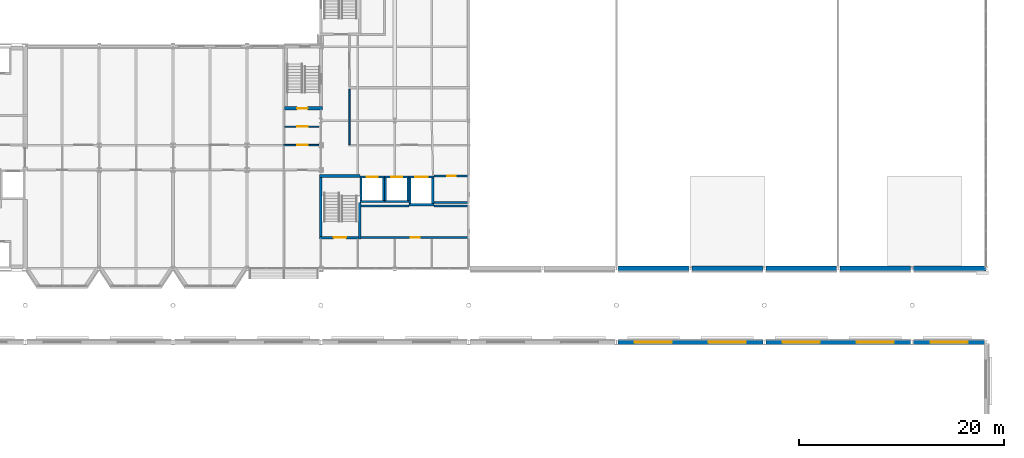
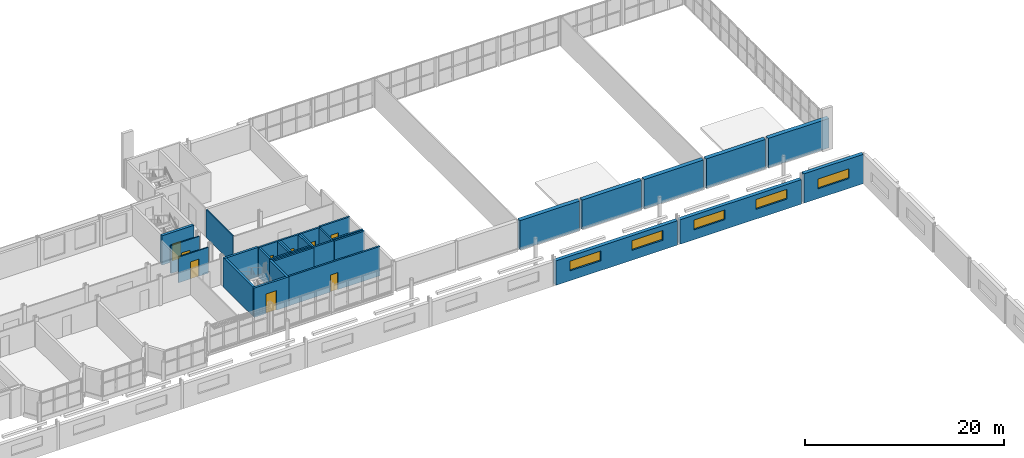
# One storey, part 78 of 124: 33 walls, 9 doors, 5 windows, 14 openings.
"""IFC4 building model written with IfcOpenShell, lengths in metres."""

from ifc_helpers import new_model, si_unit, direction, frame, frame_2d, origin, place, context, subcontext, project, spatial, rectangle, extrude, material, layer, layer_set, type_object, element, fill, save


model = new_model("IFC4")

# Units and contexts
model_context = context("Model", 3, precision=1e-05, world=origin(), true_north=direction((0.0, 1.0)))
body_context = subcontext(model_context, "Body", "Model", "MODEL_VIEW")
ifc_project = project(units=[si_unit("LENGTHUNIT", "METRE"), si_unit("AREAUNIT", "SQUARE_METRE"), si_unit("VOLUMEUNIT", "CUBIC_METRE"), si_unit("PLANEANGLEUNIT", "RADIAN"), si_unit("MASSUNIT", "GRAM", prefix="KILO")], contexts=[model_context])

# Site, building, storey
site_placement = place(None, origin())
site = spatial("IfcSite", under=ifc_project, at=site_placement, CompositionType="ELEMENT")
building_placement = place(site_placement, origin())
building = spatial("IfcBuilding", under=site, at=building_placement, Name="Kupolbacken Congress Centre", CompositionType="ELEMENT")
storey_placement = place(building_placement, frame((0.0, 0.0, 10.800048828125)))
storey = spatial("IfcBuildingStorey", under=building, at=storey_placement, Name="L03", CompositionType="ELEMENT", Elevation=10.800048828125)

# Wall, opening, window
ifc_material_1 = material(Name="Brick", Category="masonry")
ifc_layer_1 = layer(ifc_material_1, 0.10791015625)
ifc_material_2 = material(Name="Air cavity", Category="air")
ifc_layer_2 = layer(ifc_material_2, 0.0400390625, ventilated=True)
ifc_material_3 = material(Name="Mineral wool", Category="insulation")
ifc_layer_3 = layer(ifc_material_3, 0.152099609375)
ifc_material_4 = material(Name="Concrete block", Category="masonry")
ifc_layer_4 = layer(ifc_material_4, 0.1201171875)
ifc_layer_set_1 = layer_set([ifc_layer_1, ifc_layer_2, ifc_layer_3, ifc_layer_4], Name="Brick / Mineral wool / Concrete block")
wall_type_1 = type_object("IfcWallType", Name="EW04 external cavity wall 420", PredefinedType="SOLIDWALL", material=ifc_layer_set_1)
wall_1_placement = place(storey_placement, frame((201.449951171875, 115.199951171875, 0.0), z_axis=(0.0, 0.0, 1.0), x_axis=(-1.0, 0.0, 0.0)))
wall_1 = element("IfcWall", 1, at=wall_1_placement, inside=storey, type_object=wall_type_1, Name="E/H/N/L03/353", PredefinedType="SOLIDWALL", context=body_context, shape_type="SweptSolid", body=[
    extrude(rectangle(XDim=6.89990234375, YDim=0.419921875, at=frame_2d((3.449951171875, 0.0))), origin(), (0.0, 0.0, 1.0), 3.599853515625),
])
opening_1_placement = place(wall_1_placement, frame((1.64990234375, 0.0, 1.199951171875)))
opening_1 = element("IfcOpeningElement", 2, at=opening_1_placement, cuts=wall_1, Name="Opening W12", PredefinedType="OPENING", context=body_context, shape_type="SweptSolid", body=[
    extrude(rectangle(XDim=3.60009765625, YDim=1.199951171875, at=frame_2d((1.800048828125, 0.60009765625))), frame((0.0, 0.219970703125, 0.0), z_axis=(0.0, -1.0, 0.0), x_axis=(1.0, 0.0, 0.0)), (0.0, 0.0, 1.0), 0.43994140625),
])
ifc_material_5 = material(Name="Aluminium frame with double or triple glazing", Category="aluminium")
window_type = type_object("IfcWindowType", Name="W12 window 3600x1200", PartitioningType="TRIPLE_PANEL_VERTICAL", PredefinedType="WINDOW", material=ifc_material_5)
window_1_placement = place(opening_1_placement, origin())
window_1 = element("IfcWindow", 3, at=window_1_placement, inside=storey, type_object=window_type, Name="E/H/N/L03/353/W1", OverallHeight=1.199951171875, OverallWidth=3.60009765625, PartitioningType="SINGLE_PANEL", PredefinedType="WINDOW", context=body_context, shape_type="SweptSolid", body=[
    extrude(rectangle(XDim=3.60009765625, YDim=1.199951171875, at=frame_2d((1.800048828125, 0.60009765625))), frame((0.0, 0.030029296875, 0.0), z_axis=(0.0, -1.0, 0.0), x_axis=(1.0, 0.0, 0.0)), (0.0, 0.0, 1.0), 0.06005859375),
])
fill(opening_1, window_1)

# Wall, openings, windows
wall_2_placement = place(storey_placement, frame((194.25, 115.199951171875, 0.0), z_axis=(0.0, 0.0, 1.0), x_axis=(-1.0, 0.0, 0.0)))
wall_2 = element("IfcWall", 4, at=wall_2_placement, inside=storey, type_object=wall_type_1, Name="E/H/N/L03/354", PredefinedType="SOLIDWALL", context=body_context, shape_type="SweptSolid", body=[
    extrude(rectangle(XDim=14.10009765625, YDim=0.419921875, at=frame_2d((7.050048828125, 0.0))), origin(), (0.0, 0.0, 1.0), 2.9990234375),
])
opening_2_placement = place(wall_2_placement, frame((8.85009765625, 0.0, 1.199951171875)))
opening_2 = element("IfcOpeningElement", 5, at=opening_2_placement, cuts=wall_2, Name="Opening W12", PredefinedType="OPENING", context=body_context, shape_type="SweptSolid", body=[
    extrude(rectangle(XDim=3.60009765625, YDim=1.199951171875, at=frame_2d((1.800048828125, 0.60009765625))), frame((0.0, 0.219970703125, 0.0), z_axis=(0.0, -1.0, 0.0), x_axis=(1.0, 0.0, 0.0)), (0.0, 0.0, 1.0), 0.43994140625),
])
opening_3_placement = place(wall_2_placement, frame((1.64990234375, 0.0, 1.199951171875)))
opening_3 = element("IfcOpeningElement", 6, at=opening_3_placement, cuts=wall_2, Name="Opening W12", PredefinedType="OPENING", context=body_context, shape_type="SweptSolid", body=[
    extrude(rectangle(XDim=3.60009765625, YDim=1.199951171875, at=frame_2d((1.800048828125, 0.60009765625))), frame((0.0, 0.219970703125, 0.0), z_axis=(0.0, -1.0, 0.0), x_axis=(1.0, 0.0, 0.0)), (0.0, 0.0, 1.0), 0.43994140625),
])
window_2_placement = place(opening_2_placement, origin())
window_2 = element("IfcWindow", 7, at=window_2_placement, inside=storey, type_object=window_type, Name="E/H/N/L03/354/W1", OverallHeight=1.199951171875, OverallWidth=3.60009765625, PartitioningType="SINGLE_PANEL", PredefinedType="WINDOW", context=body_context, shape_type="SweptSolid", body=[
    extrude(rectangle(XDim=3.60009765625, YDim=1.199951171875, at=frame_2d((1.800048828125, 0.60009765625))), frame((0.0, 0.030029296875, 0.0), z_axis=(0.0, -1.0, 0.0), x_axis=(1.0, 0.0, 0.0)), (0.0, 0.0, 1.0), 0.06005859375),
])
fill(opening_2, window_2)
window_3_placement = place(opening_3_placement, origin())
window_3 = element("IfcWindow", 8, at=window_3_placement, inside=storey, type_object=window_type, Name="E/H/N/L03/354/W2", OverallHeight=1.199951171875, OverallWidth=3.60009765625, PartitioningType="SINGLE_PANEL", PredefinedType="WINDOW", context=body_context, shape_type="SweptSolid", body=[
    extrude(rectangle(XDim=3.60009765625, YDim=1.199951171875, at=frame_2d((1.800048828125, 0.60009765625))), frame((0.0, 0.030029296875, 0.0), z_axis=(0.0, -1.0, 0.0), x_axis=(1.0, 0.0, 0.0)), (0.0, 0.0, 1.0), 0.06005859375),
])
fill(opening_3, window_3)

wall_3_placement = place(storey_placement, frame((179.85009765625, 115.199951171875, 0.0), z_axis=(0.0, 0.0, 1.0), x_axis=(-1.0, 0.0, 0.0)))
wall_3 = element("IfcWall", 9, at=wall_3_placement, inside=storey, type_object=wall_type_1, Name="E/H/N/L03/355", PredefinedType="SOLIDWALL", context=body_context, shape_type="SweptSolid", body=[
    extrude(rectangle(XDim=14.10009765625, YDim=0.419921875, at=frame_2d((7.050048828125, 0.0))), origin(), (0.0, 0.0, 1.0), 2.9990234375),
])
opening_4_placement = place(wall_3_placement, frame((8.85009765625, 0.0, 1.199951171875)))
opening_4 = element("IfcOpeningElement", 10, at=opening_4_placement, cuts=wall_3, Name="Opening W12", PredefinedType="OPENING", context=body_context, shape_type="SweptSolid", body=[
    extrude(rectangle(XDim=3.60009765625, YDim=1.199951171875, at=frame_2d((1.800048828125, 0.60009765625))), frame((0.0, 0.219970703125, 0.0), z_axis=(0.0, -1.0, 0.0), x_axis=(1.0, 0.0, 0.0)), (0.0, 0.0, 1.0), 0.43994140625),
])
opening_5_placement = place(wall_3_placement, frame((1.64990234375, 0.0, 1.199951171875)))
opening_5 = element("IfcOpeningElement", 11, at=opening_5_placement, cuts=wall_3, Name="Opening W12", PredefinedType="OPENING", context=body_context, shape_type="SweptSolid", body=[
    extrude(rectangle(XDim=3.60009765625, YDim=1.199951171875, at=frame_2d((1.800048828125, 0.60009765625))), frame((0.0, 0.219970703125, 0.0), z_axis=(0.0, -1.0, 0.0), x_axis=(1.0, 0.0, 0.0)), (0.0, 0.0, 1.0), 0.43994140625),
])
window_4_placement = place(opening_4_placement, origin())
window_4 = element("IfcWindow", 12, at=window_4_placement, inside=storey, type_object=window_type, Name="E/H/N/L03/355/W1", OverallHeight=1.199951171875, OverallWidth=3.60009765625, PartitioningType="SINGLE_PANEL", PredefinedType="WINDOW", context=body_context, shape_type="SweptSolid", body=[
    extrude(rectangle(XDim=3.60009765625, YDim=1.199951171875, at=frame_2d((1.800048828125, 0.60009765625))), frame((0.0, 0.030029296875, 0.0), z_axis=(0.0, -1.0, 0.0), x_axis=(1.0, 0.0, 0.0)), (0.0, 0.0, 1.0), 0.06005859375),
])
fill(opening_4, window_4)
window_5_placement = place(opening_5_placement, origin())
window_5 = element("IfcWindow", 13, at=window_5_placement, inside=storey, type_object=window_type, Name="E/H/N/L03/355/W2", OverallHeight=1.199951171875, OverallWidth=3.60009765625, PartitioningType="SINGLE_PANEL", PredefinedType="WINDOW", context=body_context, shape_type="SweptSolid", body=[
    extrude(rectangle(XDim=3.60009765625, YDim=1.199951171875, at=frame_2d((1.800048828125, 0.60009765625))), frame((0.0, 0.030029296875, 0.0), z_axis=(0.0, -1.0, 0.0), x_axis=(1.0, 0.0, 0.0)), (0.0, 0.0, 1.0), 0.06005859375),
])
fill(opening_5, window_5)

# Walls
ifc_material_6 = material(Name="Limestone", Category="masonry")
ifc_layer_5 = layer(ifc_material_6, 0.14990234375)
ifc_layer_6 = layer(ifc_material_2, 0.0400390625, ventilated=True)
ifc_layer_7 = layer(ifc_material_3, 0.169921875)
ifc_layer_8 = layer(ifc_material_4, 0.1201171875)
ifc_layer_set_2 = layer_set([ifc_layer_5, ifc_layer_6, ifc_layer_7, ifc_layer_8], Name="Limestone / Mineral wool / Concrete block")
wall_type_2 = type_object("IfcWallType", Name="EW07 external cavity wall 480", PredefinedType="SOLIDWALL", material=ifc_layer_set_2)
wall_4_placement = place(storey_placement, frame((165.75, 122.39990234375, 0.0), z_axis=(0.0, 0.0, 1.0), x_axis=(1.0, 0.0, 0.0)))
element("IfcWall", 14, at=wall_4_placement, inside=storey, type_object=wall_type_2, Name="E/B/S/L03/310", PredefinedType="SOLIDWALL", context=body_context, shape_type="SweptSolid", body=[
    extrude(rectangle(XDim=6.89990234375, YDim=0.47998046875, at=frame_2d((3.449951171875, 0.0))), origin(), (0.0, 0.0, 1.0), 3.599853515625),
])
for number, where, z_axis, x_axis, name in (
    (15, (172.949951171875, 122.39990234375, 0.0), (0.0, 0.0, 1.0), (1.0, 0.0, 0.0), "E/B/S/L03/311"),
    (16, (180.14990234375, 122.39990234375, 0.0), (0.0, 0.0, 1.0), (1.0, 0.0, 0.0), "E/B/S/L03/312"),
):
    element("IfcWall", number, at=place(storey_placement, frame(where, z_axis=z_axis, x_axis=x_axis)), inside=storey, type_object=wall_type_2, Name=name, PredefinedType="SOLIDWALL", context=body_context, shape_type="SweptSolid", body=[
        extrude(rectangle(XDim=6.900146484375, YDim=0.47998046875, at=frame_2d((3.4501953125, 0.0))), origin(), (0.0, 0.0, 1.0), 3.599853515625),
    ])
wall_5_placement = place(storey_placement, frame((187.35009765625, 122.39990234375, 0.0), z_axis=(0.0, 0.0, 1.0), x_axis=(1.0, 0.0, 0.0)))
element("IfcWall", 17, at=wall_5_placement, inside=storey, type_object=wall_type_2, Name="E/B/S/L03/313", PredefinedType="SOLIDWALL", context=body_context, shape_type="SweptSolid", body=[
    extrude(rectangle(XDim=6.89990234375, YDim=0.47998046875, at=frame_2d((3.449951171875, 0.0))), origin(), (0.0, 0.0, 1.0), 3.599853515625),
])
wall_6_placement = place(storey_placement, frame((194.550048828125, 122.39990234375, 0.0), z_axis=(0.0, 0.0, 1.0), x_axis=(1.0, 0.0, 0.0)))
element("IfcWall", 18, at=wall_6_placement, inside=storey, type_object=wall_type_2, Name="E/B/S/L03/314", PredefinedType="SOLIDWALL", context=body_context, shape_type="SweptSolid", body=[
    extrude(rectangle(XDim=7.050048828125, YDim=0.47998046875, at=frame_2d((3.52490234375, 0.0))), origin(), (0.0, 0.0, 1.0), 3.599853515625),
])
ifc_material_7 = material(Name="Gypsum board", Category="drywall")
ifc_layer_9 = layer(ifc_material_7, 0.135009765625)
ifc_layer_set_3 = layer_set([ifc_layer_9], Name="Gypsum board")
wall_type_3 = type_object("IfcWallType", Name="P06 compartment wall 135", PredefinedType="PARTITIONING", material=ifc_layer_set_3)
wall_7_placement = place(storey_placement, frame((139.60009765625, 139.862548828125, 0.0), z_axis=(0.0, 0.0, 1.0), x_axis=(0.0, -1.0, 0.0)))
element("IfcWall", 19, at=wall_7_placement, inside=storey, type_object=wall_type_3, Name="PD/L03/W118", PredefinedType="PARTITIONING", context=body_context, shape_type="SweptSolid", body=[
    extrude(rectangle(XDim=5.39501953125, YDim=0.135009765625, at=frame_2d((2.697509765625, 0.0))), origin(), (0.0, 0.0, 1.0), 3.419921875),
])

# Wall, opening, door
ifc_material_8 = material(Name="Aerated concrete block", Category="masonry")
ifc_layer_10 = layer(ifc_material_8, 0.139892578125)
ifc_layer_set_4 = layer_set([ifc_layer_10], Name="Aerated concrete block")
wall_type_4 = type_object("IfcWallType", Name="P14 compartment wall 140", PredefinedType="PARTITIONING", material=ifc_layer_set_4)
wall_8_placement = place(storey_placement, frame((133.1298828125, 134.39990234375, 0.0), z_axis=(0.0, 0.0, 1.0), x_axis=(1.0, 0.0, 0.0)))
wall_8 = element("IfcWall", 20, at=wall_8_placement, inside=storey, type_object=wall_type_4, Name="T/wall/L03/x/13440/13320", PredefinedType="PARTITIONING", context=body_context, shape_type="SweptSolid", body=[
    extrude(rectangle(XDim=3.480224609375, YDim=0.139892578125, at=frame_2d((1.740234375, 0.0))), origin(), (0.0, 0.0, 1.0), 3.158935546875),
])
opening_6_placement = place(wall_8_placement, frame((1.3701171875, 0.0, 0.0)))
opening_6 = element("IfcOpeningElement", 21, at=opening_6_placement, cuts=wall_8, Name="Opening D5", PredefinedType="OPENING", context=body_context, shape_type="SweptSolid", body=[
    extrude(rectangle(XDim=1.0, YDim=2.10009765625, at=frame_2d((0.5, 1.050048828125))), frame((0.0, 0.079833984375, 0.0), z_axis=(0.0, -1.0, 0.0), x_axis=(1.0, 0.0, 0.0)), (0.0, 0.0, 1.0), 0.159912109375),
])
ifc_material_9 = material(Name="Steel fire door leaf", Category="steel")
door_type_1 = type_object("IfcDoorType", Name="D5 stair door 1000x2100", OperationType="SINGLE_SWING_LEFT", PredefinedType="DOOR", material=ifc_material_9)
door_1_placement = place(opening_6_placement, frame((1.0, 0.0, 0.0), z_axis=(0.0, 0.0, 1.0), x_axis=(-1.0, 0.0, 0.0)))
door_1 = element("IfcDoor", 22, at=door_1_placement, inside=storey, type_object=door_type_1, Name="T/wall/L03/x/13440/13320/D-TS4-LK3", OperationType="SINGLE_SWING_RIGHT", OverallHeight=2.10009765625, OverallWidth=1.0, PredefinedType="DOOR", context=body_context, shape_type="SweptSolid", body=[
    extrude(rectangle(XDim=1.0, YDim=2.10009765625, at=frame_2d((0.5, 1.050048828125))), frame((0.0, 0.02490234375, 0.0), z_axis=(0.0, -1.0, 0.0), x_axis=(1.0, 0.0, 0.0)), (0.0, 0.0, 1.0), 0.050048828125),
])
fill(opening_6, door_1)

wall_9_placement = place(storey_placement, frame((133.27001953125, 136.199951171875, 0.0), z_axis=(0.0, 0.0, 1.0), x_axis=(1.0, 0.0, 0.0)))
wall_9 = element("IfcWall", 23, at=wall_9_placement, inside=storey, type_object=wall_type_4, Name="T/wall/L03/x/13620/13320", PredefinedType="PARTITIONING", context=body_context, shape_type="SweptSolid", body=[
    extrude(rectangle(XDim=3.340087890625, YDim=0.139892578125, at=frame_2d((1.669921875, 0.0))), origin(), (0.0, 0.0, 1.0), 3.419921875),
])
opening_7_placement = place(wall_9_placement, frame((1.22998046875, 0.0, 0.0)))
opening_7 = element("IfcOpeningElement", 24, at=opening_7_placement, cuts=wall_9, Name="Opening D5", PredefinedType="OPENING", context=body_context, shape_type="SweptSolid", body=[
    extrude(rectangle(XDim=1.0, YDim=2.10009765625, at=frame_2d((0.5, 1.050048828125))), frame((0.0, 0.079833984375, 0.0), z_axis=(0.0, -1.0, 0.0), x_axis=(1.0, 0.0, 0.0)), (0.0, 0.0, 1.0), 0.159912109375),
])
door_2_placement = place(opening_7_placement, frame((1.0, 0.0, 0.0), z_axis=(0.0, 0.0, 1.0), x_axis=(-1.0, 0.0, 0.0)))
door_2 = element("IfcDoor", 25, at=door_2_placement, inside=storey, type_object=door_type_1, Name="T/wall/L03/x/13620/13320/D-TS4-LK2", OperationType="SINGLE_SWING_LEFT", OverallHeight=2.10009765625, OverallWidth=1.0, PredefinedType="DOOR", context=body_context, shape_type="SweptSolid", body=[
    extrude(rectangle(XDim=1.0, YDim=2.10009765625, at=frame_2d((0.5, 1.050048828125))), frame((0.0, 0.02490234375, 0.0), z_axis=(0.0, -1.0, 0.0), x_axis=(1.0, 0.0, 0.0)), (0.0, 0.0, 1.0), 0.050048828125),
])
fill(opening_7, door_2)

ifc_material_10 = material(Name="Concrete C40/50", Category="concrete")
ifc_layer_11 = layer(ifc_material_10, 0.199951171875)
ifc_layer_set_5 = layer_set([ifc_layer_11], Name="Concrete C40/50")
wall_type_5 = type_object("IfcWallType", Name="WC1 RC shaft wall 200", PredefinedType="SHEAR", material=ifc_layer_set_5)
wall_10_placement = place(storey_placement, frame((140.72509765625, 125.39990234375, 0.0), z_axis=(0.0, 0.0, 1.0), x_axis=(1.0, 0.0, 0.0)))
wall_10 = element("IfcWall", 26, at=wall_10_placement, inside=storey, type_object=wall_type_5, Name="Shaft wall L03-083", PredefinedType="SHEAR", context=body_context, shape_type="SweptSolid", body=[
    extrude(rectangle(XDim=10.574951171875, YDim=0.199951171875, at=frame_2d((5.28759765625, 0.0))), origin(), (0.0, 0.0, 1.0), 3.599853515625),
])
opening_8_placement = place(wall_10_placement, frame((4.85009765625, 0.0, 0.0)))
opening_8 = element("IfcOpeningElement", 27, at=opening_8_placement, cuts=wall_10, Name="Opening 3.G03", PredefinedType="OPENING", context=body_context, shape_type="SweptSolid", body=[
    extrude(rectangle(XDim=0.85009765625, YDim=2.10009765625, at=frame_2d((0.425048828125, 1.050048828125))), frame((0.0, 0.10986328125, 0.0), z_axis=(0.0, -1.0, 0.0), x_axis=(1.0, 0.0, 0.0)), (0.0, 0.0, 1.0), 0.219970703125),
])
ifc_material_11 = material(Name="Steel fire door leaf", Category="steel")
door_type_2 = type_object("IfcDoorType", Name="D3 fire door 850x2100", OperationType="SINGLE_SWING_LEFT", PredefinedType="DOOR", material=ifc_material_11)
door_3_placement = place(opening_8_placement, origin())
door_3 = element("IfcDoor", 28, at=door_3_placement, inside=storey, type_object=door_type_2, Name="S/core/L03/083/D3G03", OperationType="SINGLE_SWING_LEFT", OverallHeight=2.10009765625, OverallWidth=0.85009765625, PredefinedType="DOOR", context=body_context, shape_type="SweptSolid", body=[
    extrude(rectangle(XDim=0.85009765625, YDim=2.10009765625, at=frame_2d((0.425048828125, 1.050048828125))), frame((0.0, 0.02490234375, 0.0), z_axis=(0.0, -1.0, 0.0), x_axis=(1.0, 0.0, 0.0)), (0.0, 0.0, 1.0), 0.050048828125),
])
fill(opening_8, door_3)

# Walls
wall_11_placement = place(storey_placement, frame((140.60009765625, 128.5, 0.0), z_axis=(0.0, 0.0, 1.0), x_axis=(1.0, 0.0, 0.0)))
element("IfcWall", 29, at=wall_11_placement, inside=storey, type_object=wall_type_5, Name="Shaft wall L03-095", PredefinedType="SHEAR", context=body_context, shape_type="SweptSolid", body=[
    extrude(rectangle(XDim=4.7998046875, YDim=0.199951171875, at=frame_2d((2.39990234375, 0.0))), origin(), (0.0, 0.0, 1.0), 3.599853515625),
])
for number, where, z_axis, x_axis, name in (
    (30, (147.800048828125, 128.5, 0.0), (0.0, 0.0, 1.0), (1.0, 0.0, 0.0), "Shaft wall L03-097"),
    (31, (147.800048828125, 128.800048828125, 0.0), (0.0, 0.0, 1.0), (1.0, 0.0, 0.0), "Shaft wall L03-098"),
):
    element("IfcWall", number, at=place(storey_placement, frame(where, z_axis=z_axis, x_axis=x_axis)), inside=storey, type_object=wall_type_5, Name=name, PredefinedType="SHEAR", context=body_context, shape_type="SweptSolid", body=[
        extrude(rectangle(XDim=3.5, YDim=0.199951171875, at=frame_2d((1.75, 0.0))), origin(), (0.0, 0.0, 1.0), 3.599853515625),
    ])

# Wall, opening, door
wall_12_placement = place(storey_placement, frame((151.300048828125, 131.39990234375, 0.0), z_axis=(0.0, 0.0, 1.0), x_axis=(-1.0, 0.0, 0.0)))
wall_12 = element("IfcWall", 32, at=wall_12_placement, inside=storey, type_object=wall_type_5, Name="Shaft wall L03-103", PredefinedType="SHEAR", context=body_context, shape_type="SweptSolid", body=[
    extrude(rectangle(XDim=3.5, YDim=0.199951171875, at=frame_2d((1.75, 0.0))), origin(), (0.0, 0.0, 1.0), 3.599853515625),
])
opening_9_placement = place(wall_12_placement, frame((1.35009765625, 0.0, 0.0)))
opening_9 = element("IfcOpeningElement", 33, at=opening_9_placement, cuts=wall_12, Name="Opening 3.G02", PredefinedType="OPENING", context=body_context, shape_type="SweptSolid", body=[
    extrude(rectangle(XDim=0.85009765625, YDim=2.10009765625, at=frame_2d((0.425048828125, 1.050048828125))), frame((0.0, 0.10986328125, 0.0), z_axis=(0.0, -1.0, 0.0), x_axis=(1.0, 0.0, 0.0)), (0.0, 0.0, 1.0), 0.219970703125),
])
door_4_placement = place(opening_9_placement, origin())
door_4 = element("IfcDoor", 34, at=door_4_placement, inside=storey, type_object=door_type_2, Name="S/core/L03/103/D3G02", OperationType="SINGLE_SWING_RIGHT", OverallHeight=2.10009765625, OverallWidth=0.85009765625, PredefinedType="DOOR", context=body_context, shape_type="SweptSolid", body=[
    extrude(rectangle(XDim=0.85009765625, YDim=2.10009765625, at=frame_2d((0.425048828125, 1.050048828125))), frame((0.0, 0.02490234375, 0.0), z_axis=(0.0, -1.0, 0.0), x_axis=(1.0, 0.0, 0.0)), (0.0, 0.0, 1.0), 0.050048828125),
])
fill(opening_9, door_4)

# Wall
wall_13_placement = place(storey_placement, frame((140.60009765625, 128.89990234375, 0.0), z_axis=(0.0, 0.0, 1.0), x_axis=(1.0, 0.0, 0.0)))
element("IfcWall", 35, at=wall_13_placement, inside=storey, type_object=wall_type_5, Name="Shaft wall LP15", PredefinedType="SHEAR", context=body_context, shape_type="SweptSolid", body=[
    extrude(rectangle(XDim=2.39990234375, YDim=0.199951171875, at=frame_2d((1.199951171875, 0.0))), origin(), (0.0, 0.0, 1.0), 3.599853515625),
])

# Wall, opening, door
wall_14_placement = place(storey_placement, frame((140.60009765625, 131.300048828125, 0.0), z_axis=(0.0, 0.0, 1.0), x_axis=(1.0, 0.0, 0.0)))
wall_14 = element("IfcWall", 36, at=wall_14_placement, inside=storey, type_object=wall_type_5, Name="Shaft wall LP15", PredefinedType="SHEAR", context=body_context, shape_type="SweptSolid", body=[
    extrude(rectangle(XDim=2.39990234375, YDim=0.199951171875, at=frame_2d((1.199951171875, 0.0))), origin(), (0.0, 0.0, 1.0), 3.599853515625),
])
opening_10_placement = place(wall_14_placement, frame((0.64990234375, 0.0, 0.0)))
opening_10 = element("IfcOpeningElement", 37, at=opening_10_placement, cuts=wall_14, Name="Opening LD2", PredefinedType="OPENING", context=body_context, shape_type="SweptSolid", body=[
    extrude(rectangle(XDim=1.10009765625, YDim=2.10009765625, at=frame_2d((0.550048828125, 1.050048828125))), frame((0.0, 0.10986328125, 0.0), z_axis=(0.0, -1.0, 0.0), x_axis=(1.0, 0.0, 0.0)), (0.0, 0.0, 1.0), 0.219970703125),
])
ifc_material_12 = material(Name="Stainless steel door leaf", Category="steel")
door_type_3 = type_object("IfcDoorType", Name="LD2 lift landing door 1100x2100", OperationType="SLIDING_TO_LEFT", PredefinedType="DOOR", material=ifc_material_12)
door_5_placement = place(opening_10_placement, origin())
door_5 = element("IfcDoor", 38, at=door_5_placement, inside=storey, type_object=door_type_3, Name="Lift landing door LP15", OperationType="SLIDING_TO_LEFT", OverallHeight=2.10009765625, OverallWidth=1.10009765625, PredefinedType="DOOR", context=body_context, shape_type="SweptSolid", body=[
    extrude(rectangle(XDim=1.10009765625, YDim=2.10009765625, at=frame_2d((0.550048828125, 1.050048828125))), frame((0.0, 0.02490234375, 0.0), z_axis=(0.0, -1.0, 0.0), x_axis=(1.0, 0.0, 0.0)), (0.0, 0.0, 1.0), 0.050048828125),
])
fill(opening_10, door_5)

# Walls
for number, where, z_axis, x_axis, name in (
    (39, (140.699951171875, 129.0, 0.0), (0.0, 0.0, 1.0), (0.0, 1.0, 0.0), "Shaft wall LP15"),
    (40, (142.89990234375, 129.0, 0.0), (0.0, 0.0, 1.0), (0.0, 1.0, 0.0), "Shaft wall LP15"),
):
    element("IfcWall", number, at=place(storey_placement, frame(where, z_axis=z_axis, x_axis=x_axis)), inside=storey, type_object=wall_type_5, Name=name, PredefinedType="SHEAR", context=body_context, shape_type="SweptSolid", body=[
        extrude(rectangle(XDim=2.199951171875, YDim=0.199951171875, at=frame_2d((1.10009765625, 0.0))), origin(), (0.0, 0.0, 1.0), 3.599853515625),
    ])
wall_15_placement = place(storey_placement, frame((143.0, 128.89990234375, 0.0), z_axis=(0.0, 0.0, 1.0), x_axis=(1.0, 0.0, 0.0)))
element("IfcWall", 41, at=wall_15_placement, inside=storey, type_object=wall_type_5, Name="Shaft wall LP16", PredefinedType="SHEAR", context=body_context, shape_type="SweptSolid", body=[
    extrude(rectangle(XDim=2.39990234375, YDim=0.199951171875, at=frame_2d((1.199951171875, 0.0))), origin(), (0.0, 0.0, 1.0), 3.599853515625),
])

# Wall, opening, door
wall_16_placement = place(storey_placement, frame((143.0, 131.300048828125, 0.0), z_axis=(0.0, 0.0, 1.0), x_axis=(1.0, 0.0, 0.0)))
wall_16 = element("IfcWall", 42, at=wall_16_placement, inside=storey, type_object=wall_type_5, Name="Shaft wall LP16", PredefinedType="SHEAR", context=body_context, shape_type="SweptSolid", body=[
    extrude(rectangle(XDim=2.39990234375, YDim=0.199951171875, at=frame_2d((1.199951171875, 0.0))), origin(), (0.0, 0.0, 1.0), 3.599853515625),
])
opening_11_placement = place(wall_16_placement, frame((0.64990234375, 0.0, 0.0)))
opening_11 = element("IfcOpeningElement", 43, at=opening_11_placement, cuts=wall_16, Name="Opening LD2", PredefinedType="OPENING", context=body_context, shape_type="SweptSolid", body=[
    extrude(rectangle(XDim=1.10009765625, YDim=2.10009765625, at=frame_2d((0.550048828125, 1.050048828125))), frame((0.0, 0.10986328125, 0.0), z_axis=(0.0, -1.0, 0.0), x_axis=(1.0, 0.0, 0.0)), (0.0, 0.0, 1.0), 0.219970703125),
])
door_6_placement = place(opening_11_placement, origin())
door_6 = element("IfcDoor", 44, at=door_6_placement, inside=storey, type_object=door_type_3, Name="Lift landing door LP16", OperationType="SLIDING_TO_LEFT", OverallHeight=2.10009765625, OverallWidth=1.10009765625, PredefinedType="DOOR", context=body_context, shape_type="SweptSolid", body=[
    extrude(rectangle(XDim=1.10009765625, YDim=2.10009765625, at=frame_2d((0.550048828125, 1.050048828125))), frame((0.0, 0.02490234375, 0.0), z_axis=(0.0, -1.0, 0.0), x_axis=(1.0, 0.0, 0.0)), (0.0, 0.0, 1.0), 0.050048828125),
])
fill(opening_11, door_6)

# Walls
for number, where, z_axis, x_axis, name in (
    (45, (143.10009765625, 129.0, 0.0), (0.0, 0.0, 1.0), (0.0, 1.0, 0.0), "Shaft wall LP16"),
    (46, (145.300048828125, 129.0, 0.0), (0.0, 0.0, 1.0), (0.0, 1.0, 0.0), "Shaft wall LP16"),
):
    element("IfcWall", number, at=place(storey_placement, frame(where, z_axis=z_axis, x_axis=x_axis)), inside=storey, type_object=wall_type_5, Name=name, PredefinedType="SHEAR", context=body_context, shape_type="SweptSolid", body=[
        extrude(rectangle(XDim=2.199951171875, YDim=0.199951171875, at=frame_2d((1.10009765625, 0.0))), origin(), (0.0, 0.0, 1.0), 3.599853515625),
    ])
wall_17_placement = place(storey_placement, frame((145.39990234375, 128.60009765625, 0.0), z_axis=(0.0, 0.0, 1.0), x_axis=(1.0, 0.0, 0.0)))
element("IfcWall", 47, at=wall_17_placement, inside=storey, type_object=wall_type_5, Name="Shaft wall LV2", PredefinedType="SHEAR", context=body_context, shape_type="SweptSolid", body=[
    extrude(rectangle(XDim=2.400146484375, YDim=0.199951171875, at=frame_2d((1.2001953125, 0.0))), origin(), (0.0, 0.0, 1.0), 3.599853515625),
])

# Wall, opening, door
wall_18_placement = place(storey_placement, frame((145.39990234375, 131.300048828125, 0.0), z_axis=(0.0, 0.0, 1.0), x_axis=(1.0, 0.0, 0.0)))
wall_18 = element("IfcWall", 48, at=wall_18_placement, inside=storey, type_object=wall_type_5, Name="Shaft wall LV2", PredefinedType="SHEAR", context=body_context, shape_type="SweptSolid", body=[
    extrude(rectangle(XDim=2.400146484375, YDim=0.199951171875, at=frame_2d((1.2001953125, 0.0))), origin(), (0.0, 0.0, 1.0), 3.599853515625),
])
opening_12_placement = place(wall_18_placement, frame((0.60009765625, 0.0, 0.0)))
opening_12 = element("IfcOpeningElement", 49, at=opening_12_placement, cuts=wall_18, Name="Opening LD1", PredefinedType="OPENING", context=body_context, shape_type="SweptSolid", body=[
    extrude(rectangle(XDim=1.199951171875, YDim=2.10009765625, at=frame_2d((0.60009765625, 1.050048828125))), frame((0.0, 0.10986328125, 0.0), z_axis=(0.0, -1.0, 0.0), x_axis=(1.0, 0.0, 0.0)), (0.0, 0.0, 1.0), 0.219970703125),
])
ifc_material_13 = material(Name="Stainless steel door leaf", Category="steel")
door_type_4 = type_object("IfcDoorType", Name="LD1 lift landing door 1200x2100", OperationType="SLIDING_TO_LEFT", PredefinedType="DOOR", material=ifc_material_13)
door_7_placement = place(opening_12_placement, origin())
door_7 = element("IfcDoor", 50, at=door_7_placement, inside=storey, type_object=door_type_4, Name="Lift landing door LV2", OperationType="SLIDING_TO_LEFT", OverallHeight=2.10009765625, OverallWidth=1.199951171875, PredefinedType="DOOR", context=body_context, shape_type="SweptSolid", body=[
    extrude(rectangle(XDim=1.199951171875, YDim=2.10009765625, at=frame_2d((0.60009765625, 1.050048828125))), frame((0.0, 0.02490234375, 0.0), z_axis=(0.0, -1.0, 0.0), x_axis=(1.0, 0.0, 0.0)), (0.0, 0.0, 1.0), 0.050048828125),
])
fill(opening_12, door_7)

# Walls
for number, where, z_axis, x_axis, name in (
    (51, (145.5, 128.699951171875, 0.0), (0.0, 0.0, 1.0), (0.0, 1.0, 0.0), "Shaft wall LV2"),
    (52, (147.699951171875, 128.699951171875, 0.0), (0.0, 0.0, 1.0), (0.0, 1.0, 0.0), "Shaft wall LV2"),
):
    element("IfcWall", number, at=place(storey_placement, frame(where, z_axis=z_axis, x_axis=x_axis)), inside=storey, type_object=wall_type_5, Name=name, PredefinedType="SHEAR", context=body_context, shape_type="SweptSolid", body=[
        extrude(rectangle(XDim=2.5, YDim=0.199951171875, at=frame_2d((1.25, 0.0))), origin(), (0.0, 0.0, 1.0), 3.599853515625),
    ])

# Wall, opening, door
ifc_material_14 = material(Name="Concrete C40/50", Category="concrete")
ifc_layer_12 = layer(ifc_material_14, 0.25)
ifc_layer_set_6 = layer_set([ifc_layer_12], Name="Concrete C40/50")
wall_type_6 = type_object("IfcWallType", Name="WC2 RC stair enclosure wall 250", PredefinedType="SHEAR", material=ifc_layer_set_6)
wall_19_placement = place(storey_placement, frame((136.675048828125, 125.39990234375, 0.0), z_axis=(0.0, 0.0, 1.0), x_axis=(1.0, 0.0, 0.0)))
wall_19 = element("IfcWall", 53, at=wall_19_placement, inside=storey, type_object=wall_type_6, Name="Stair enclosure wall L03-082", PredefinedType="SHEAR", context=body_context, shape_type="SweptSolid", body=[
    extrude(rectangle(XDim=4.050048828125, YDim=0.25, at=frame_2d((2.02490234375, 0.0))), origin(), (0.0, 0.0, 1.0), 3.599853515625),
])
opening_13_placement = place(wall_19_placement, frame((1.375, 0.0, 0.0)))
opening_13 = element("IfcOpeningElement", 54, at=opening_13_placement, cuts=wall_19, Name="Opening 3.G01", PredefinedType="OPENING", context=body_context, shape_type="SweptSolid", body=[
    extrude(rectangle(XDim=1.199951171875, YDim=2.39990234375, at=frame_2d((0.60009765625, 1.199951171875))), frame((0.0, 0.135009765625, 0.0), z_axis=(0.0, -1.0, 0.0), x_axis=(1.0, 0.0, 0.0)), (0.0, 0.0, 1.0), 0.27001953125),
])
ifc_material_15 = material(Name="Steel fire door leaf", Category="steel")
door_type_5 = type_object("IfcDoorType", Name="D9 fire door 1200x2400", OperationType="SINGLE_SWING_LEFT", PredefinedType="DOOR", material=ifc_material_15)
door_8_placement = place(opening_13_placement, origin())
door_8 = element("IfcDoor", 55, at=door_8_placement, inside=storey, type_object=door_type_5, Name="S/core/L03/082/D3G01", OperationType="SINGLE_SWING_RIGHT", OverallHeight=2.39990234375, OverallWidth=1.199951171875, PredefinedType="DOOR", context=body_context, shape_type="SweptSolid", body=[
    extrude(rectangle(XDim=1.199951171875, YDim=2.39990234375, at=frame_2d((0.60009765625, 1.199951171875))), frame((0.0, 0.02490234375, 0.0), z_axis=(0.0, -1.0, 0.0), x_axis=(1.0, 0.0, 0.0)), (0.0, 0.0, 1.0), 0.050048828125),
])
fill(opening_13, door_8)

# Walls
wall_20_placement = place(storey_placement, frame((140.60009765625, 125.27490234375, 0.0), z_axis=(0.0, 0.0, 1.0), x_axis=(0.0, 1.0, 0.0)))
element("IfcWall", 56, at=wall_20_placement, inside=storey, type_object=wall_type_6, Name="Stair enclosure wall L03-084", PredefinedType="SHEAR", context=body_context, shape_type="SweptSolid", body=[
    extrude(rectangle(XDim=3.525146484375, YDim=0.25, at=frame_2d((1.7626953125, 0.0))), origin(), (0.0, 0.0, 1.0), 3.599853515625),
])
wall_21_placement = place(storey_placement, frame((136.800048828125, 131.52490234375, 0.0), z_axis=(0.0, 0.0, 1.0), x_axis=(0.0, -1.0, 0.0)))
element("IfcWall", 57, at=wall_21_placement, inside=storey, type_object=wall_type_6, Name="Stair enclosure wall L03-101", PredefinedType="SHEAR", context=body_context, shape_type="SweptSolid", body=[
    extrude(rectangle(XDim=6.25, YDim=0.25, at=frame_2d((3.125, 0.0))), origin(), (0.0, 0.0, 1.0), 3.599853515625),
])
wall_22_placement = place(storey_placement, frame((140.60009765625, 131.39990234375, 0.0), z_axis=(0.0, 0.0, 1.0), x_axis=(-1.0, 0.0, 0.0)))
element("IfcWall", 58, at=wall_22_placement, inside=storey, type_object=wall_type_6, Name="Stair enclosure wall L03-102", PredefinedType="SHEAR", context=body_context, shape_type="SweptSolid", body=[
    extrude(rectangle(XDim=3.925048828125, YDim=0.25, at=frame_2d((1.96240234375, 0.0))), origin(), (0.0, 0.0, 1.0), 3.599853515625),
])

# Wall, opening, door
ifc_material_16 = material(Name="Concrete C40/50", Category="concrete")
ifc_layer_13 = layer(ifc_material_16, 0.300048828125)
ifc_layer_set_7 = layer_set([ifc_layer_13], Name="Concrete C40/50")
wall_type_7 = type_object("IfcWallType", Name="WC3 RC core wall 300", PredefinedType="SHEAR", material=ifc_layer_set_7)
wall_23_placement = place(storey_placement, frame((133.25, 138.0, 0.0), z_axis=(0.0, 0.0, 1.0), x_axis=(1.0, 0.0, 0.0)))
wall_23 = element("IfcWall", 59, at=wall_23_placement, inside=storey, type_object=wall_type_7, Name="Core wall L03-122", PredefinedType="SHEAR", context=body_context, shape_type="SweptSolid", body=[
    extrude(rectangle(XDim=3.699951171875, YDim=0.300048828125, at=frame_2d((1.85009765625, 0.0))), origin(), (0.0, 0.0, 1.0), 3.599853515625),
])
opening_14_placement = place(wall_23_placement, frame((1.25, 0.0, 0.0)))
opening_14 = element("IfcOpeningElement", 60, at=opening_14_placement, cuts=wall_23, Name="Opening D5", PredefinedType="OPENING", context=body_context, shape_type="SweptSolid", body=[
    extrude(rectangle(XDim=1.0, YDim=2.10009765625, at=frame_2d((0.5, 1.050048828125))), frame((0.0, 0.159912109375, 0.0), z_axis=(0.0, -1.0, 0.0), x_axis=(1.0, 0.0, 0.0)), (0.0, 0.0, 1.0), 0.320068359375),
])
door_9_placement = place(opening_14_placement, origin())
door_9 = element("IfcDoor", 61, at=door_9_placement, inside=storey, type_object=door_type_1, Name="S/core/L03/122/D-TS4-LK1", OperationType="SINGLE_SWING_RIGHT", OverallHeight=2.10009765625, OverallWidth=1.0, PredefinedType="DOOR", context=body_context, shape_type="SweptSolid", body=[
    extrude(rectangle(XDim=1.0, YDim=2.10009765625, at=frame_2d((0.5, 1.050048828125))), frame((0.0, 0.02490234375, 0.0), z_axis=(0.0, -1.0, 0.0), x_axis=(1.0, 0.0, 0.0)), (0.0, 0.0, 1.0), 0.050048828125),
])
fill(opening_14, door_9)

save(model, "model.ifc")
